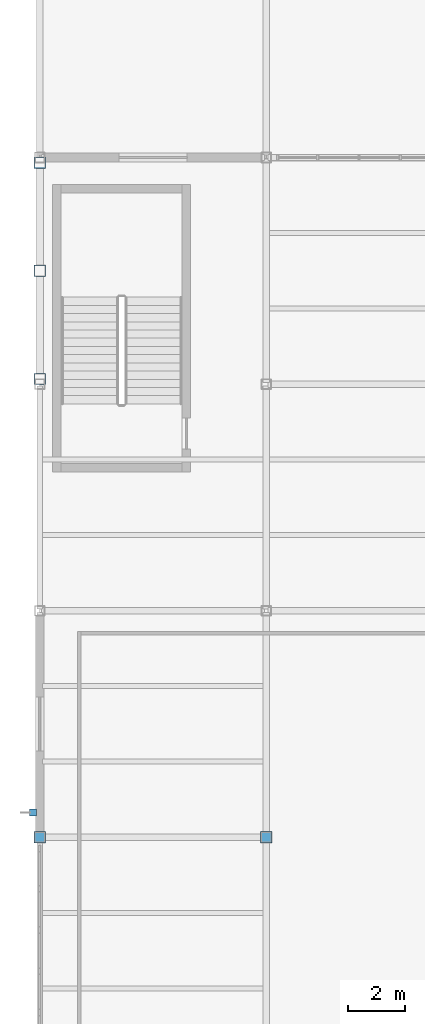
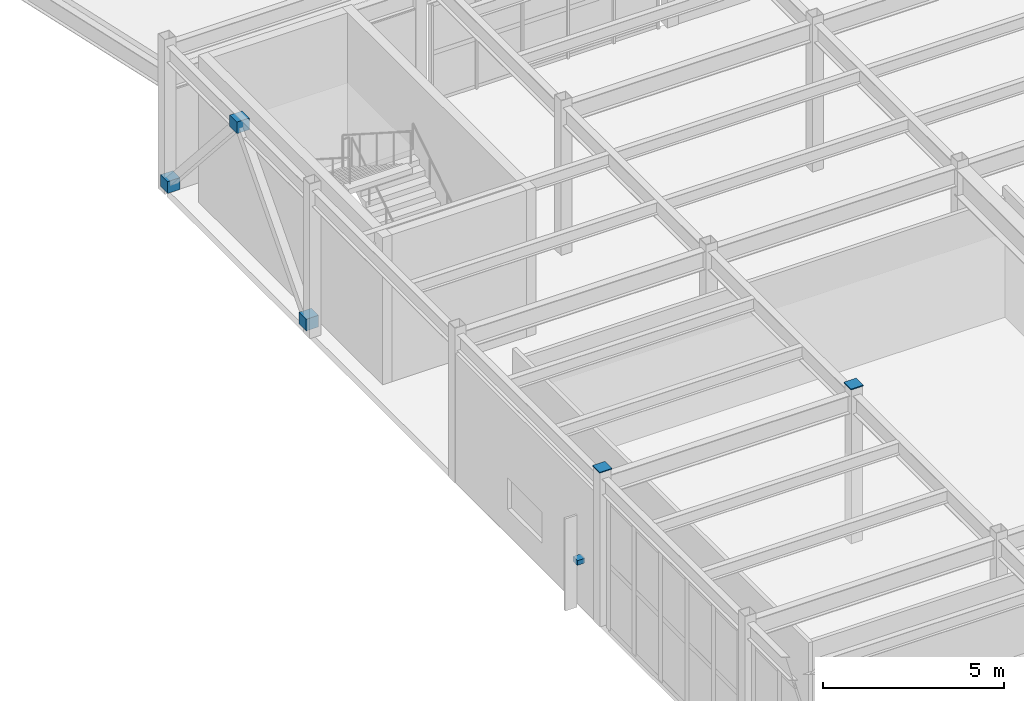
# One storey, part 64 of 77: 6 discrete accessories.
"""IFC4 building model written with IfcOpenShell, lengths in metres."""

import ifcopenshell
import ifcopenshell.guid

model = None  # the IFC model being written
_history = None  # IfcOwnerHistory: only IFC2X3 demands one
_inside = {}  # id of a spatial element -> (the spatial element, [elements in it])
_under = {}  # id of a project, library or spatial element -> (it, [spatial elements below it])
_declared = {}  # id of a project -> (the project, [libraries it declares])
_typed = {}  # id of a type object -> (the type object, [elements of that type])
_made_of = {}  # id of a material, layer set ... -> (it, [elements and type objects made of it])


def new_model(schema):
    """Start an empty IFC model of exactly this schema.

    Asked for "IFC4X3", IfcOpenShell would pick the latest addendum, in which some entities
    have other attributes; the version numbers below select the first issue.
    IFC2X3 requires an IfcOwnerHistory on every rooted entity: one is made here for all.
    """
    global model, _history
    if schema == "IFC4X3":
        model = ifcopenshell.file(schema_version=(4, 3, 0, 0))
    else:
        model = ifcopenshell.file(schema=schema)
    _inside.clear()
    _under.clear()
    _declared.clear()
    _typed.clear()
    _made_of.clear()
    _history = None
    if model.schema == "IFC2X3":
        org = make("IfcOrganization", Name="unknown")
        user = make(
            "IfcPersonAndOrganization",
            ThePerson=make("IfcPerson", FamilyName="unknown"),
            TheOrganization=org,
        )
        app = make(
            "IfcApplication",
            ApplicationDeveloper=org,
            Version="unknown",
            ApplicationFullName="unknown",
            ApplicationIdentifier="unknown",
        )
        _history = make(
            "IfcOwnerHistory",
            OwningUser=user,
            OwningApplication=app,
            ChangeAction="ADDED",
            CreationDate=0,
        )
    return model


def make(cls, **values):
    """One entity of the class cls with the attributes given. An attribute that is None is left unset."""
    return model.create_entity(
        cls, **{name: value for name, value in values.items() if value is not None}
    )


def rooted(cls, **values):
    """An entity with a GlobalId (a new one), such as an element, a storey or a relation."""
    return make(cls, GlobalId=ifcopenshell.guid.new(), OwnerHistory=_history, **values)


def si_unit(unit_type, name, prefix=None):
    """IfcSIUnit, for example si_unit("LENGTHUNIT", "METRE", prefix="MILLI")."""
    return make("IfcSIUnit", UnitType=unit_type, Prefix=prefix, Name=name)


def assignment(units):
    """IfcUnitAssignment: the units of a project."""
    return None if units is None else make("IfcUnitAssignment", Units=units)


def point(xyz):
    """IfcCartesianPoint."""
    return None if xyz is None else make("IfcCartesianPoint", Coordinates=xyz)


def direction(xyz):
    """IfcDirection."""
    return None if xyz is None else make("IfcDirection", DirectionRatios=xyz)


def frame(location, z_axis=None, x_axis=None):
    """IfcAxis2Placement3D, a coordinate frame: its origin and axes. An axis left out is left unset."""
    return make(
        "IfcAxis2Placement3D",
        Location=point(location),
        Axis=direction(z_axis),
        RefDirection=direction(x_axis),
    )


def frame_2d(location, x_axis=None):
    """IfcAxis2Placement2D, a coordinate frame in the plane: its origin and x axis."""
    return make(
        "IfcAxis2Placement2D", Location=point(location), RefDirection=direction(x_axis)
    )


def origin():
    """The frame at (0, 0, 0) with its axes left unset."""
    return frame((0.0, 0.0, 0.0))


def origin_2d():
    """The frame at (0, 0) in the plane with its x axis left unset."""
    return frame_2d((0.0, 0.0))


def place(relative_to, where):
    """IfcLocalPlacement: puts the frame where relative to a parent placement (None: the world)."""
    return make(
        "IfcLocalPlacement", PlacementRelTo=relative_to, RelativePlacement=where
    )


def context(
    kind, dimensions, precision=None, world=None, true_north=None, identifier=None
):
    """IfcGeometricRepresentationContext, for example the 3D "Model" context."""
    return make(
        "IfcGeometricRepresentationContext",
        ContextIdentifier=identifier,
        ContextType=kind,
        CoordinateSpaceDimension=dimensions,
        Precision=precision,
        WorldCoordinateSystem=world,
        TrueNorth=true_north,
    )


def subcontext(parent, identifier, kind, view, scale=None):
    """IfcGeometricRepresentationSubContext, for example "Body" below "Model"."""
    return make(
        "IfcGeometricRepresentationSubContext",
        ContextIdentifier=identifier,
        ContextType=kind,
        ParentContext=parent,
        TargetScale=scale,
        TargetView=view,
    )


def project(units=None, contexts=None):
    """IfcProject with its units and contexts."""
    return rooted(
        "IfcProject",
        Name="project",
        RepresentationContexts=contexts,
        UnitsInContext=assignment(units),
    )


def spatial(cls, under=None, at=None, **own):
    """A site, building, storey or space (cls), placed at a placement, below another one or the project."""
    s = rooted(cls, ObjectPlacement=at, **own)
    if under is not None:
        _under.setdefault(under.id(), (under, []))[1].append(s)
    return s


def profile(cls, at=None, kind="AREA", **sizes):
    """A parametric profile (cls). Its sizes go by their IFC names, for example OverallWidth=200.0."""
    return make(cls, ProfileType=kind, Position=at, **sizes)


def rectangle(**sizes):
    """IfcRectangleProfileDef."""
    return profile("IfcRectangleProfileDef", **sizes)


def extrude(swept, where, along, depth):
    """IfcExtrudedAreaSolid: the profile swept, set in the frame where, extruded along a direction by depth."""
    return make(
        "IfcExtrudedAreaSolid",
        SweptArea=swept,
        Position=where,
        ExtrudedDirection=direction(along),
        Depth=depth,
    )


def shape(context_of_items, identifier, shape_type, items):
    """IfcShapeRepresentation: the items that make up one representation, for example the "Body"."""
    return make(
        "IfcShapeRepresentation",
        ContextOfItems=context_of_items,
        RepresentationIdentifier=identifier,
        RepresentationType=shape_type,
        Items=items,
    )


def material(Name=None, Category=None):
    """IfcMaterial."""
    return make("IfcMaterial", Name=Name, Category=Category)


def made_of(thing, what):
    """Note that an element or type object is made of a material, layer set ...; save() writes the relation."""
    if what is not None:
        _made_of.setdefault(what.id(), (what, []))[1].append(thing)
    return thing


def type_object(cls, material=None, **own):
    """A type object (cls), such as IfcWallType, which elements share."""
    return made_of(rooted(cls, **own), material)


def element(
    cls,
    number,
    at=None,
    inside=None,
    cuts=None,
    type_object=None,
    material=None,
    context=None,
    identifier="Body",
    shape_type=None,
    held_by="IfcProductDefinitionShape",
    body=None,
    shapes=None,
    **own,
):
    """One element of the class cls, such as IfcWall. Its Tag is "e" and its number.

    at: its placement. inside: the storey or other place that contains it. cuts: it is an
    opening in that element (IfcRelVoidsElement). A single representation is given by context,
    identifier, shape_type and body (its items); several are given by shapes. held_by: the class
    of the entity that holds the representations. save() writes the other relations.
    """
    e = rooted(cls, Tag="e%d" % number, ObjectPlacement=at, **own)
    if body is not None:
        shapes = [shape(context, identifier, shape_type, body)]
    if shapes is not None:
        e.Representation = make(held_by, Representations=shapes)
    if inside is not None:
        _inside.setdefault(inside.id(), (inside, []))[1].append(e)
    if cuts is not None:
        rooted(
            "IfcRelVoidsElement", RelatingBuildingElement=cuts, RelatedOpeningElement=e
        )
    if type_object is not None:
        _typed.setdefault(type_object.id(), (type_object, []))[1].append(e)
    return made_of(e, material)


def aggregate(whole, parts):
    """IfcRelAggregates: a whole, such as a stair, and the parts it consists of."""
    return rooted("IfcRelAggregates", RelatingObject=whole, RelatedObjects=parts)


def save(model, path):
    """Write the relations noted so far, then the file.

    IfcRelAggregates (storeys below a building ...), IfcRelContainedInSpatialStructure (elements
    in a storey), IfcRelDefinesByType, IfcRelAssociatesMaterial and IfcRelDeclares: one each for
    every whole, place, type object, material and project.
    """
    for whole, parts in _under.values():
        aggregate(whole, parts)
    for where, things in _inside.values():
        rooted(
            "IfcRelContainedInSpatialStructure",
            RelatedElements=things,
            RelatingStructure=where,
        )
    for kind, things in _typed.values():
        rooted("IfcRelDefinesByType", RelatedObjects=things, RelatingType=kind)
    for what, things in _made_of.values():
        rooted("IfcRelAssociatesMaterial", RelatedObjects=things, RelatingMaterial=what)
    for by, libraries in _declared.values():
        rooted("IfcRelDeclares", RelatingContext=by, RelatedDefinitions=libraries)
    model.write(path)


model = new_model("IFC4")

# Units and contexts
model_context = context("Model", 3, precision=1e-05, world=origin(), true_north=direction((0.0, 1.0)))
body_context = subcontext(model_context, "Body", "Model", "MODEL_VIEW")
ifc_project = project(units=[si_unit("LENGTHUNIT", "METRE"), si_unit("AREAUNIT", "SQUARE_METRE"), si_unit("VOLUMEUNIT", "CUBIC_METRE"), si_unit("PLANEANGLEUNIT", "RADIAN"), si_unit("MASSUNIT", "GRAM", prefix="KILO")], contexts=[model_context])

# Site, building, storey
site_placement = place(None, origin())
site = spatial("IfcSite", under=ifc_project, at=site_placement, CompositionType="ELEMENT")
building_placement = place(site_placement, origin())
building = spatial("IfcBuilding", under=site, at=building_placement, Name="Drelvath Fold Interchange", CompositionType="ELEMENT")
storey_placement = place(building_placement, frame((0.0, 0.0, 6.0)))
storey = spatial("IfcBuildingStorey", under=building, at=storey_placement, Name="L01", CompositionType="ELEMENT", Elevation=6.0)

# Discrete accessories
ifc_material_1 = material(Name="Stainless Steel 316L", Category="steel")
discrete_accessory_type_1 = type_object("IfcDiscreteAccessoryType", Name="AC-BRK220", PredefinedType="BRACKET", material=ifc_material_1)
discrete_accessory_placement = place(storey_placement, frame((3.762939453125, 75.8740234375, 1.56982421875), z_axis=(0.0, 0.0, 1.0), x_axis=(1.0, 0.0, 0.0)))
element("IfcDiscreteAccessory", 1, at=discrete_accessory_placement, inside=storey, type_object=discrete_accessory_type_1, Name="Solar fin bracket 3", PredefinedType="BRACKET", context=body_context, shape_type="SweptSolid", body=[
    extrude(rectangle(XDim=0.239990234375, YDim=0.239990234375, at=origin_2d()), origin(), (0.0, 0.0, 1.0), 0.159912109375),
])
ifc_material_2 = material(Name="Steel ASTM A572 Grade 50", Category="steel")
discrete_accessory_type_2 = type_object("IfcDiscreteAccessoryType", Name="AC-CAP380", PredefinedType="BRACKET", material=ifc_material_2)
for number, where, z_axis, x_axis, name in (
    (2, (4.0, 75.0, 5.18994140625), (0.0, 0.0, 1.0), (1.0, 0.0, 0.0), "Welded hollow column end cap 15"),
    (3, (12.0, 75.0, 5.18994140625), (0.0, 0.0, 1.0), (1.0, 0.0, 0.0), "Welded hollow column end cap 16"),
):
    element("IfcDiscreteAccessory", number, at=place(storey_placement, frame(where, z_axis=z_axis, x_axis=x_axis)), inside=storey, type_object=discrete_accessory_type_2, Name=name, PredefinedType="BRACKET", context=body_context, shape_type="SweptSolid", body=[
        extrude(rectangle(XDim=0.39599609375, YDim=0.39599609375, at=origin_2d()), origin(), (0.0, 0.0, 1.0), 0.030029296875),
    ])
for number, where, z_axis, x_axis, name in (
    (4, (4.0, 91.18310546875, 0.1689453125), (0.0, 0.0, 1.0), (1.0, 0.0, 0.0), "Welded hollow member end cap 551"),
    (5, (4.0, 95.0029296875, 4.488037109375), (0.0, 0.0, 1.0), (1.0, 0.0, 0.0), "Welded hollow member end cap 552"),
    (6, (4.0, 98.81689453125, 0.1689453125), (0.0, 0.0, 1.0), (1.0, 0.0, 0.0), "Welded hollow member end cap 553"),
):
    element("IfcDiscreteAccessory", number, at=place(storey_placement, frame(where, z_axis=z_axis, x_axis=x_axis)), inside=storey, type_object=discrete_accessory_type_2, Name=name, PredefinedType="BRACKET", context=body_context, shape_type="SweptSolid", body=[
        extrude(rectangle(XDim=0.39404296875, YDim=0.39404296875, at=origin_2d()), origin(), (0.0, 0.0, 1.0), 0.39404296875),
    ])

save(model, "model.ifc")
